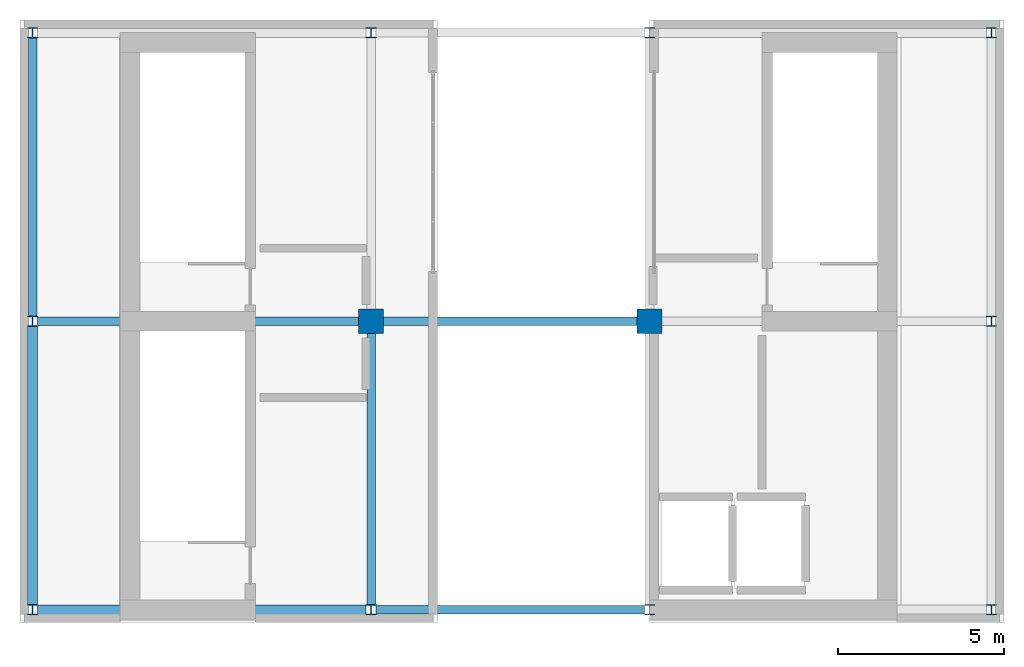
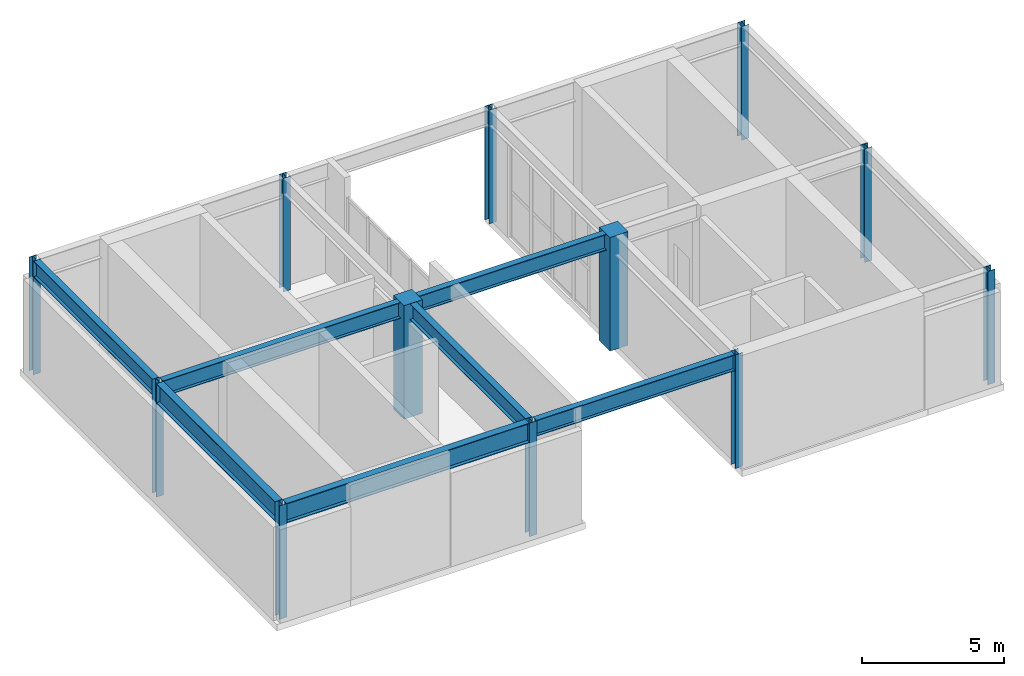
# One storey, part 1 of 9: 12 columns, 7 beams.
"""IFC4 building model written with IfcOpenShell, lengths in metres."""

import ifcopenshell
import ifcopenshell.guid

model = None  # the IFC model being written
_history = None  # IfcOwnerHistory: only IFC2X3 demands one
_inside = {}  # id of a spatial element -> (the spatial element, [elements in it])
_under = {}  # id of a project, library or spatial element -> (it, [spatial elements below it])
_declared = {}  # id of a project -> (the project, [libraries it declares])
_typed = {}  # id of a type object -> (the type object, [elements of that type])
_made_of = {}  # id of a material, layer set ... -> (it, [elements and type objects made of it])


def new_model(schema):
    """Start an empty IFC model of exactly this schema.

    Asked for "IFC4X3", IfcOpenShell would pick the latest addendum, in which some entities
    have other attributes; the version numbers below select the first issue.
    IFC2X3 requires an IfcOwnerHistory on every rooted entity: one is made here for all.
    """
    global model, _history
    if schema == "IFC4X3":
        model = ifcopenshell.file(schema_version=(4, 3, 0, 0))
    else:
        model = ifcopenshell.file(schema=schema)
    _inside.clear()
    _under.clear()
    _declared.clear()
    _typed.clear()
    _made_of.clear()
    _history = None
    if model.schema == "IFC2X3":
        org = make("IfcOrganization", Name="unknown")
        user = make(
            "IfcPersonAndOrganization",
            ThePerson=make("IfcPerson", FamilyName="unknown"),
            TheOrganization=org,
        )
        app = make(
            "IfcApplication",
            ApplicationDeveloper=org,
            Version="unknown",
            ApplicationFullName="unknown",
            ApplicationIdentifier="unknown",
        )
        _history = make(
            "IfcOwnerHistory",
            OwningUser=user,
            OwningApplication=app,
            ChangeAction="ADDED",
            CreationDate=0,
        )
    return model


def make(cls, **values):
    """One entity of the class cls with the attributes given. An attribute that is None is left unset."""
    return model.create_entity(
        cls, **{name: value for name, value in values.items() if value is not None}
    )


def rooted(cls, **values):
    """An entity with a GlobalId (a new one), such as an element, a storey or a relation."""
    return make(cls, GlobalId=ifcopenshell.guid.new(), OwnerHistory=_history, **values)


def si_unit(unit_type, name, prefix=None):
    """IfcSIUnit, for example si_unit("LENGTHUNIT", "METRE", prefix="MILLI")."""
    return make("IfcSIUnit", UnitType=unit_type, Prefix=prefix, Name=name)


def assignment(units):
    """IfcUnitAssignment: the units of a project."""
    return None if units is None else make("IfcUnitAssignment", Units=units)


def point(xyz):
    """IfcCartesianPoint."""
    return None if xyz is None else make("IfcCartesianPoint", Coordinates=xyz)


def direction(xyz):
    """IfcDirection."""
    return None if xyz is None else make("IfcDirection", DirectionRatios=xyz)


def frame(location, z_axis=None, x_axis=None):
    """IfcAxis2Placement3D, a coordinate frame: its origin and axes. An axis left out is left unset."""
    return make(
        "IfcAxis2Placement3D",
        Location=point(location),
        Axis=direction(z_axis),
        RefDirection=direction(x_axis),
    )


def frame_2d(location, x_axis=None):
    """IfcAxis2Placement2D, a coordinate frame in the plane: its origin and x axis."""
    return make(
        "IfcAxis2Placement2D", Location=point(location), RefDirection=direction(x_axis)
    )


def origin():
    """The frame at (0, 0, 0) with its axes left unset."""
    return frame((0.0, 0.0, 0.0))


def origin_2d():
    """The frame at (0, 0) in the plane with its x axis left unset."""
    return frame_2d((0.0, 0.0))


def place(relative_to, where):
    """IfcLocalPlacement: puts the frame where relative to a parent placement (None: the world)."""
    return make(
        "IfcLocalPlacement", PlacementRelTo=relative_to, RelativePlacement=where
    )


def context(
    kind, dimensions, precision=None, world=None, true_north=None, identifier=None
):
    """IfcGeometricRepresentationContext, for example the 3D "Model" context."""
    return make(
        "IfcGeometricRepresentationContext",
        ContextIdentifier=identifier,
        ContextType=kind,
        CoordinateSpaceDimension=dimensions,
        Precision=precision,
        WorldCoordinateSystem=world,
        TrueNorth=true_north,
    )


def subcontext(parent, identifier, kind, view, scale=None):
    """IfcGeometricRepresentationSubContext, for example "Body" below "Model"."""
    return make(
        "IfcGeometricRepresentationSubContext",
        ContextIdentifier=identifier,
        ContextType=kind,
        ParentContext=parent,
        TargetScale=scale,
        TargetView=view,
    )


def project(units=None, contexts=None):
    """IfcProject with its units and contexts."""
    return rooted(
        "IfcProject",
        Name="project",
        RepresentationContexts=contexts,
        UnitsInContext=assignment(units),
    )


def spatial(cls, under=None, at=None, **own):
    """A site, building, storey or space (cls), placed at a placement, below another one or the project."""
    s = rooted(cls, ObjectPlacement=at, **own)
    if under is not None:
        _under.setdefault(under.id(), (under, []))[1].append(s)
    return s


def profile(cls, at=None, kind="AREA", **sizes):
    """A parametric profile (cls). Its sizes go by their IFC names, for example OverallWidth=200.0."""
    return make(cls, ProfileType=kind, Position=at, **sizes)


def rectangle(**sizes):
    """IfcRectangleProfileDef."""
    return profile("IfcRectangleProfileDef", **sizes)


def i_section(**sizes):
    """IfcIShapeProfileDef."""
    return profile("IfcIShapeProfileDef", **sizes)


def extrude(swept, where, along, depth):
    """IfcExtrudedAreaSolid: the profile swept, set in the frame where, extruded along a direction by depth."""
    return make(
        "IfcExtrudedAreaSolid",
        SweptArea=swept,
        Position=where,
        ExtrudedDirection=direction(along),
        Depth=depth,
    )


def shape(context_of_items, identifier, shape_type, items):
    """IfcShapeRepresentation: the items that make up one representation, for example the "Body"."""
    return make(
        "IfcShapeRepresentation",
        ContextOfItems=context_of_items,
        RepresentationIdentifier=identifier,
        RepresentationType=shape_type,
        Items=items,
    )


def material(Name=None, Category=None):
    """IfcMaterial."""
    return make("IfcMaterial", Name=Name, Category=Category)


def material_profile(
    of_material, cross_section, Name=None, Category=None, Priority=None
):
    """IfcMaterialProfile: a cross section and its material."""
    return make(
        "IfcMaterialProfile",
        Name=Name,
        Material=of_material,
        Profile=cross_section,
        Priority=Priority,
        Category=Category,
    )


def profile_set(profiles, Name=None, composite=None):
    """IfcMaterialProfileSet."""
    return make(
        "IfcMaterialProfileSet",
        Name=Name,
        MaterialProfiles=profiles,
        CompositeProfile=composite,
    )


def made_of(thing, what):
    """Note that an element or type object is made of a material, layer set ...; save() writes the relation."""
    if what is not None:
        _made_of.setdefault(what.id(), (what, []))[1].append(thing)
    return thing


def type_object(cls, material=None, **own):
    """A type object (cls), such as IfcWallType, which elements share."""
    return made_of(rooted(cls, **own), material)


def element(
    cls,
    number,
    at=None,
    inside=None,
    cuts=None,
    type_object=None,
    material=None,
    context=None,
    identifier="Body",
    shape_type=None,
    held_by="IfcProductDefinitionShape",
    body=None,
    shapes=None,
    **own,
):
    """One element of the class cls, such as IfcWall. Its Tag is "e" and its number.

    at: its placement. inside: the storey or other place that contains it. cuts: it is an
    opening in that element (IfcRelVoidsElement). A single representation is given by context,
    identifier, shape_type and body (its items); several are given by shapes. held_by: the class
    of the entity that holds the representations. save() writes the other relations.
    """
    e = rooted(cls, Tag="e%d" % number, ObjectPlacement=at, **own)
    if body is not None:
        shapes = [shape(context, identifier, shape_type, body)]
    if shapes is not None:
        e.Representation = make(held_by, Representations=shapes)
    if inside is not None:
        _inside.setdefault(inside.id(), (inside, []))[1].append(e)
    if cuts is not None:
        rooted(
            "IfcRelVoidsElement", RelatingBuildingElement=cuts, RelatedOpeningElement=e
        )
    if type_object is not None:
        _typed.setdefault(type_object.id(), (type_object, []))[1].append(e)
    return made_of(e, material)


def aggregate(whole, parts):
    """IfcRelAggregates: a whole, such as a stair, and the parts it consists of."""
    return rooted("IfcRelAggregates", RelatingObject=whole, RelatedObjects=parts)


def save(model, path):
    """Write the relations noted so far, then the file.

    IfcRelAggregates (storeys below a building ...), IfcRelContainedInSpatialStructure (elements
    in a storey), IfcRelDefinesByType, IfcRelAssociatesMaterial and IfcRelDeclares: one each for
    every whole, place, type object, material and project.
    """
    for whole, parts in _under.values():
        aggregate(whole, parts)
    for where, things in _inside.values():
        rooted(
            "IfcRelContainedInSpatialStructure",
            RelatedElements=things,
            RelatingStructure=where,
        )
    for kind, things in _typed.values():
        rooted("IfcRelDefinesByType", RelatedObjects=things, RelatingType=kind)
    for what, things in _made_of.values():
        rooted("IfcRelAssociatesMaterial", RelatedObjects=things, RelatingMaterial=what)
    for by, libraries in _declared.values():
        rooted("IfcRelDeclares", RelatingContext=by, RelatedDefinitions=libraries)
    model.write(path)


model = new_model("IFC4")

# Units and contexts
model_context = context("Model", 3, precision=1e-05, world=origin(), true_north=direction((0.0, 1.0)))
body_context = subcontext(model_context, "Body", "Model", "MODEL_VIEW")
ifc_project = project(units=[si_unit("LENGTHUNIT", "METRE"), si_unit("AREAUNIT", "SQUARE_METRE"), si_unit("VOLUMEUNIT", "CUBIC_METRE"), si_unit("PLANEANGLEUNIT", "RADIAN"), si_unit("MASSUNIT", "GRAM", prefix="KILO")], contexts=[model_context])

# Site, building, storey
site_placement = place(None, origin())
site = spatial("IfcSite", under=ifc_project, at=site_placement, CompositionType="ELEMENT")
building_placement = place(site_placement, origin())
building = spatial("IfcBuilding", under=site, at=building_placement, Name="Solanera Arch Residences", CompositionType="ELEMENT")
storey_placement = place(building_placement, frame((0.0, 0.0, 297.679931640625)))
storey = spatial("IfcBuildingStorey", under=building, at=storey_placement, Name="L84", CompositionType="ELEMENT", Elevation=297.679931640625)

# Columns
ifc_material_1 = material(Name="Concrete C40/50 (f'c = 45 MPa)", Category="concrete")
ifc_material_profile_1 = material_profile(ifc_material_1, rectangle(XDim=0.75, YDim=0.75, at=origin_2d()))
ifc_profile_set_1 = profile_set([ifc_material_profile_1], Name="Concrete C40/50 (f'c = 45 MPa)")
column_type_1 = type_object("IfcColumnType", Name="Structural Column RC-COL-750X750", PredefinedType="COLUMN", material=ifc_profile_set_1)
for number, where, z_axis, x_axis, name in (
    (1, (20.800048828125, 30.699951171875, 0.0), (0.0, 0.0, 1.0), (1.0, 0.0, 0.0), "COL-L84-CORE-W"),
    (2, (29.199951171875, 30.699951171875, 0.0), (0.0, 0.0, 1.0), (1.0, 0.0, 0.0), "COL-L84-CORE-E"),
):
    element("IfcColumn", number, at=place(storey_placement, frame(where, z_axis=z_axis, x_axis=x_axis)), inside=storey, type_object=column_type_1, Name=name, PredefinedType="COLUMN", context=body_context, shape_type="SweptSolid", body=[
        extrude(rectangle(XDim=0.75, YDim=0.75, at=origin_2d()), origin(), (0.0, 0.0, 1.0), 4.900146484375),
    ])
ifc_material_2 = material(Name="Steel S355 (ASTM A992 / A572 Grade 50)", Category="steel")
ifc_material_profile_2 = material_profile(ifc_material_2, i_section(OverallWidth=0.304931640625, OverallDepth=0.30810546875, WebThickness=0.010009765625, FlangeThickness=0.015380859375, at=origin_2d()))
ifc_profile_set_2 = profile_set([ifc_material_profile_2], Name="Steel S355 (ASTM A992 / A572 Grade 50)")
column_type_2 = type_object("IfcColumnType", Name="Structural Column W310X97", PredefinedType="COLUMN", material=ifc_profile_set_2)
for number, where, z_axis, x_axis, name in (
    (3, (10.60009765625, 22.0, 0.0), (0.0, 0.0, 1.0), (1.0, 0.0, 0.0), "COL-L84-CRN-01"),
    (4, (20.800048828125, 22.0, 0.0), (0.0, 0.0, 1.0), (1.0, 0.0, 0.0), "COL-L84-CRN-02"),
    (5, (10.60009765625, 30.699951171875, 0.0), (0.0, 0.0, 1.0), (1.0, 0.0, 0.0), "COL-L84-CRN-03"),
    (6, (10.60009765625, 39.39990234375, 0.0), (0.0, 0.0, 1.0), (1.0, 0.0, 0.0), "COL-L84-CRN-04"),
    (7, (20.800048828125, 39.39990234375, 0.0), (0.0, 0.0, 1.0), (1.0, 0.0, 0.0), "COL-L84-CRN-05"),
    (8, (29.199951171875, 22.0, 0.0), (0.0, 0.0, 1.0), (1.0, 0.0, 0.0), "COL-L84-CRN-06"),
    (9, (39.5, 22.0, 0.0), (0.0, 0.0, 1.0), (1.0, 0.0, 0.0), "COL-L84-CRN-07"),
    (10, (39.5, 30.699951171875, 0.0), (0.0, 0.0, 1.0), (1.0, 0.0, 0.0), "COL-L84-CRN-08"),
    (11, (29.199951171875, 39.39990234375, 0.0), (0.0, 0.0, 1.0), (1.0, 0.0, 0.0), "COL-L84-CRN-09"),
    (12, (39.5, 39.39990234375, 0.0), (0.0, 0.0, 1.0), (1.0, 0.0, 0.0), "COL-L84-CRN-10"),
):
    element("IfcColumn", number, at=place(storey_placement, frame(where, z_axis=z_axis, x_axis=x_axis)), inside=storey, type_object=column_type_2, Name=name, PredefinedType="COLUMN", context=body_context, shape_type="SweptSolid", body=[
        extrude(i_section(OverallWidth=0.304931640625, OverallDepth=0.30810546875, WebThickness=0.010009765625, FlangeThickness=0.015380859375, at=origin_2d()), origin(), (0.0, 0.0, 1.0), 4.900146484375),
    ])

# Beams
ifc_material_3 = material(Name="Steel S355 (ASTM A992 / A572 Grade 50)", Category="steel")
ifc_material_profile_3 = material_profile(ifc_material_3, i_section(OverallWidth=0.256103515625, OverallDepth=0.693115234375, WebThickness=0.014404296875, FlangeThickness=0.023681640625, at=origin_2d()))
ifc_profile_set_3 = profile_set([ifc_material_profile_3], Name="Steel S355 (ASTM A992 / A572 Grade 50)")
beam_type_1 = type_object("IfcBeamType", Name="Primary Beam W690X170", PredefinedType="BEAM", material=ifc_profile_set_3)
beam_1_placement = place(storey_placement, frame((10.751953125, 30.699951171875, 4.552978515625), z_axis=(1.0, 0.0, 0.0), x_axis=(0.0, 1.0, 0.0)))
element("IfcBeam", 13, at=beam_1_placement, inside=storey, type_object=beam_type_1, Name="BM-L84-CR-WM", PredefinedType="BEAM", context=body_context, shape_type="SweptSolid", body=[
    extrude(i_section(OverallWidth=0.256103515625, OverallDepth=0.693115234375, WebThickness=0.014404296875, FlangeThickness=0.023681640625, at=origin_2d()), origin(), (0.0, 0.0, 1.0), 9.89599609375),
])
beam_2_placement = place(storey_placement, frame((10.60009765625, 30.85400390625, 4.552978515625), z_axis=(0.0, 1.0, 0.0), x_axis=(-1.0, 0.0, 0.0)))
element("IfcBeam", 14, at=beam_2_placement, inside=storey, type_object=beam_type_1, Name="BM-L84-CR-W2", PredefinedType="BEAM", context=body_context, shape_type="SweptSolid", body=[
    extrude(i_section(OverallWidth=0.256103515625, OverallDepth=0.693115234375, WebThickness=0.014404296875, FlangeThickness=0.023681640625, at=origin_2d()), origin(), (0.0, 0.0, 1.0), 8.39208984375),
])
beam_3_placement = place(storey_placement, frame((20.800048828125, 22.154052734375, 4.552978515625), z_axis=(0.0, 1.0, 0.0), x_axis=(-1.0, 0.0, 0.0)))
element("IfcBeam", 15, at=beam_3_placement, inside=storey, type_object=beam_type_1, Name="BM-L84-CR-W3", PredefinedType="BEAM", context=body_context, shape_type="SweptSolid", body=[
    extrude(i_section(OverallWidth=0.256103515625, OverallDepth=0.693115234375, WebThickness=0.014404296875, FlangeThickness=0.023681640625, at=origin_2d()), origin(), (0.0, 0.0, 1.0), 8.391845703125),
])
for number, where, z_axis, x_axis, name in (
    (16, (20.951904296875, 22.0, 4.552978515625), (1.0, 0.0, 0.0), (0.0, 1.0, 0.0), "BM-L84-CR-TIE-S"),
    (17, (20.951904296875, 30.699951171875, 4.552978515625), (1.0, 0.0, 0.0), (0.0, 1.0, 0.0), "BM-L84-CR-TIE-C"),
):
    element("IfcBeam", number, at=place(storey_placement, frame(where, z_axis=z_axis, x_axis=x_axis)), inside=storey, type_object=beam_type_1, Name=name, PredefinedType="BEAM", context=body_context, shape_type="SweptSolid", body=[
        extrude(i_section(OverallWidth=0.256103515625, OverallDepth=0.693115234375, WebThickness=0.014404296875, FlangeThickness=0.023681640625, at=origin_2d()), origin(), (0.0, 0.0, 1.0), 8.09619140625),
    ])
ifc_material_4 = material(Name="Steel S355 (ASTM A992 / A572 Grade 50)", Category="steel")
ifc_material_profile_4 = material_profile(ifc_material_4, i_section(OverallWidth=0.2939453125, OverallDepth=0.85107421875, WebThickness=0.01611328125, FlangeThickness=0.02685546875, at=origin_2d()))
ifc_profile_set_4 = profile_set([ifc_material_profile_4], Name="Steel S355 (ASTM A992 / A572 Grade 50)")
beam_type_2 = type_object("IfcBeamType", Name="Primary Beam W840X226", PredefinedType="BEAM", material=ifc_profile_set_4)
beam_4_placement = place(storey_placement, frame((10.751953125, 22.0, 4.47412109375), z_axis=(1.0, 0.0, 0.0), x_axis=(0.0, 1.0, 0.0)))
element("IfcBeam", 18, at=beam_4_placement, inside=storey, type_object=beam_type_2, Name="BM-L84-CR-WS", PredefinedType="BEAM", context=body_context, shape_type="SweptSolid", body=[
    extrude(i_section(OverallWidth=0.2939453125, OverallDepth=0.85107421875, WebThickness=0.01611328125, FlangeThickness=0.02685546875, at=origin_2d()), origin(), (0.0, 0.0, 1.0), 9.89599609375),
])
beam_5_placement = place(storey_placement, frame((10.60009765625, 22.154052734375, 4.47412109375), z_axis=(0.0, 1.0, 0.0), x_axis=(-1.0, 0.0, 0.0)))
element("IfcBeam", 19, at=beam_5_placement, inside=storey, type_object=beam_type_2, Name="BM-L84-CR-W1", PredefinedType="BEAM", context=body_context, shape_type="SweptSolid", body=[
    extrude(i_section(OverallWidth=0.2939453125, OverallDepth=0.85107421875, WebThickness=0.01611328125, FlangeThickness=0.02685546875, at=origin_2d()), origin(), (0.0, 0.0, 1.0), 8.391845703125),
])

save(model, "model.ifc")
